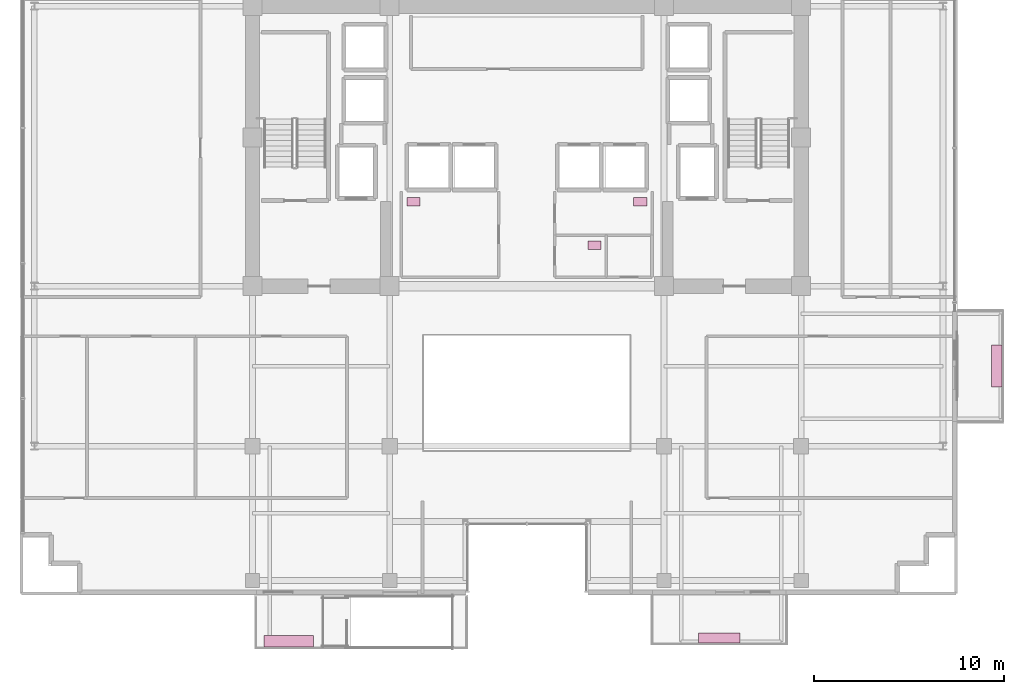
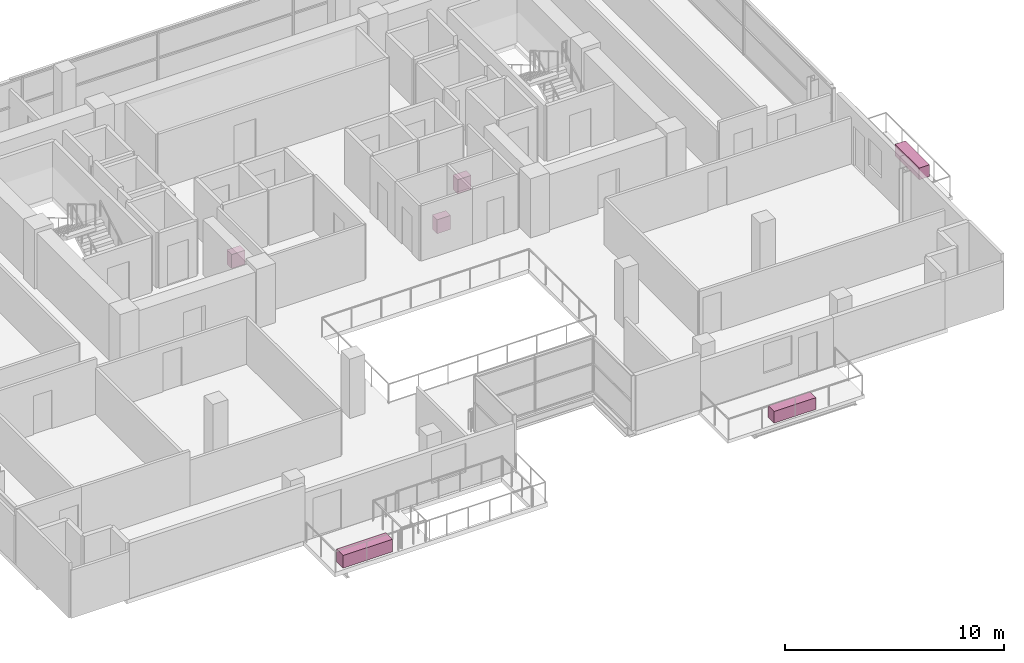
# One storey, part 23 of 23: 6 furnishings.
"""IFC4 building model written with IfcOpenShell, lengths in metres."""

from ifc_helpers import new_model, si_unit, direction, frame, origin, origin_2d, place, context, subcontext, project, spatial, rectangle, extrude, source, transform, mapped, material, type_object, element, save


model = new_model("IFC4")

# Units and contexts
model_context = context("Model", 3, precision=1e-05, world=origin(), true_north=direction((0.0, 1.0)))
body_context = subcontext(model_context, "Body", "Model", "MODEL_VIEW")
ifc_project = project(units=[si_unit("LENGTHUNIT", "METRE"), si_unit("AREAUNIT", "SQUARE_METRE"), si_unit("VOLUMEUNIT", "CUBIC_METRE"), si_unit("PLANEANGLEUNIT", "RADIAN"), si_unit("MASSUNIT", "GRAM", prefix="KILO")], contexts=[model_context])

# Site, building, storey
site_placement = place(None, origin())
site = spatial("IfcSite", under=ifc_project, at=site_placement, CompositionType="ELEMENT")
building_placement = place(site_placement, origin())
building = spatial("IfcBuilding", under=site, at=building_placement, Name="Zarnakvel Exchange Tower", CompositionType="ELEMENT")
storey_placement = place(building_placement, frame((0.0, 0.0, 149.5)))
storey = spatial("IfcBuildingStorey", under=building, at=storey_placement, Name="L41", CompositionType="ELEMENT", Elevation=149.5)

# Furnishings
ifc_material_1 = material(Name="Architectural Bronze Anodised Aluminium", Category="aluminium")
furnishing_element_type_1 = type_object("IfcFurnishingElementType", Name="PLNT-02", material=ifc_material_1)
shared_shape_1 = source(origin(), body_context, "Body", "SweptSolid", [
    extrude(rectangle(XDim=2.60009765625, YDim=0.60009765625, at=origin_2d()), origin(), (0.0, 0.0, 1.0), 0.699951171875),
])
furnishing_placement = place(storey_placement, frame((-12.5, -19.840087890625, 0.0), z_axis=(0.0, 0.0, 1.0), x_axis=(1.0, 0.0, 0.0)))
element("IfcFurnishingElement", 1, at=furnishing_placement, inside=storey, type_object=furnishing_element_type_1, Name="L41 Spiral Sky-Terrace Tropical Planter", ObjectType="PLANTER", context=body_context, shape_type="MappedRepresentation", body=[
    mapped(shared_shape_1, transform((0.0, 0.0, 0.0), x_axis=(1.0, 0.0, 0.0), y_axis=(0.0, 1.0, 0.0), z_axis=(0.0, 0.0, 1.0), scale=1.0)),
])
furnishing_element_type_2 = type_object("IfcFurnishingElementType", Name="PLNT-01", material=ifc_material_1)
shared_shape_2 = source(origin(), body_context, "Body", "SweptSolid", [
    extrude(rectangle(XDim=2.199951171875, YDim=0.550048828125, at=origin_2d()), origin(), (0.0, 0.0, 1.0), 0.64990234375),
])
for number, where, z_axis, x_axis, name in (
    (2, (10.10009765625, -19.669921875, -0.034912109375), (0.0, 0.0, 1.0), (1.0, 0.0, 0.0), "L41 Balcony Greenery Planter BAL-L41-SE"),
    (3, (24.669921875, -5.39990234375, -0.034912109375), (0.0, 0.0, 1.0), (0.0, 1.0, 0.0), "L41 Balcony Greenery Planter BAL-L41-E"),
):
    element("IfcFurnishingElement", number, at=place(storey_placement, frame(where, z_axis=z_axis, x_axis=x_axis)), inside=storey, type_object=furnishing_element_type_2, Name=name, ObjectType="PLANTER", context=body_context, shape_type="MappedRepresentation", body=[
        mapped(shared_shape_2, transform((0.0, 0.0, 0.0), x_axis=(1.0, 0.0, 0.0), y_axis=(0.0, 1.0, 0.0), z_axis=(0.0, 0.0, 1.0), scale=1.0)),
    ])
ifc_material_2 = material(Name="Vitreous China Sanitaryware", Category="ceramic")
furnishing_element_type_3 = type_object("IfcFurnishingElementType", Name="SAN-WC", material=ifc_material_2)
shared_shape_3 = source(origin(), body_context, "Body", "SweptSolid", [
    extrude(rectangle(XDim=0.699951171875, YDim=0.449951171875, at=origin_2d()), origin(), (0.0, 0.0, 1.0), 0.780029296875),
])
for number, where, z_axis, x_axis, name in (
    (4, (-5.949951171875, 3.22998046875, 0.0), (0.0, 0.0, 1.0), (1.0, 0.0, 0.0), "L41 Sanitary Fixture (Male Toilet)"),
    (5, (5.949951171875, 3.22998046875, 0.0), (0.0, 0.0, 1.0), (1.0, 0.0, 0.0), "L41 Sanitary Fixture (Female Toilet)"),
    (6, (3.550048828125, 0.949951171875, 0.0), (0.0, 0.0, 1.0), (1.0, 0.0, 0.0), "L41 Sanitary Fixture (Accessible Toilet)"),
):
    element("IfcFurnishingElement", number, at=place(storey_placement, frame(where, z_axis=z_axis, x_axis=x_axis)), inside=storey, type_object=furnishing_element_type_3, Name=name, ObjectType="SANITARY_FIXTURE", context=body_context, shape_type="MappedRepresentation", body=[
        mapped(shared_shape_3, transform((0.0, 0.0, 0.0), x_axis=(1.0, 0.0, 0.0), y_axis=(0.0, 1.0, 0.0), z_axis=(0.0, 0.0, 1.0), scale=1.0)),
    ])

save(model, "model.ifc")
